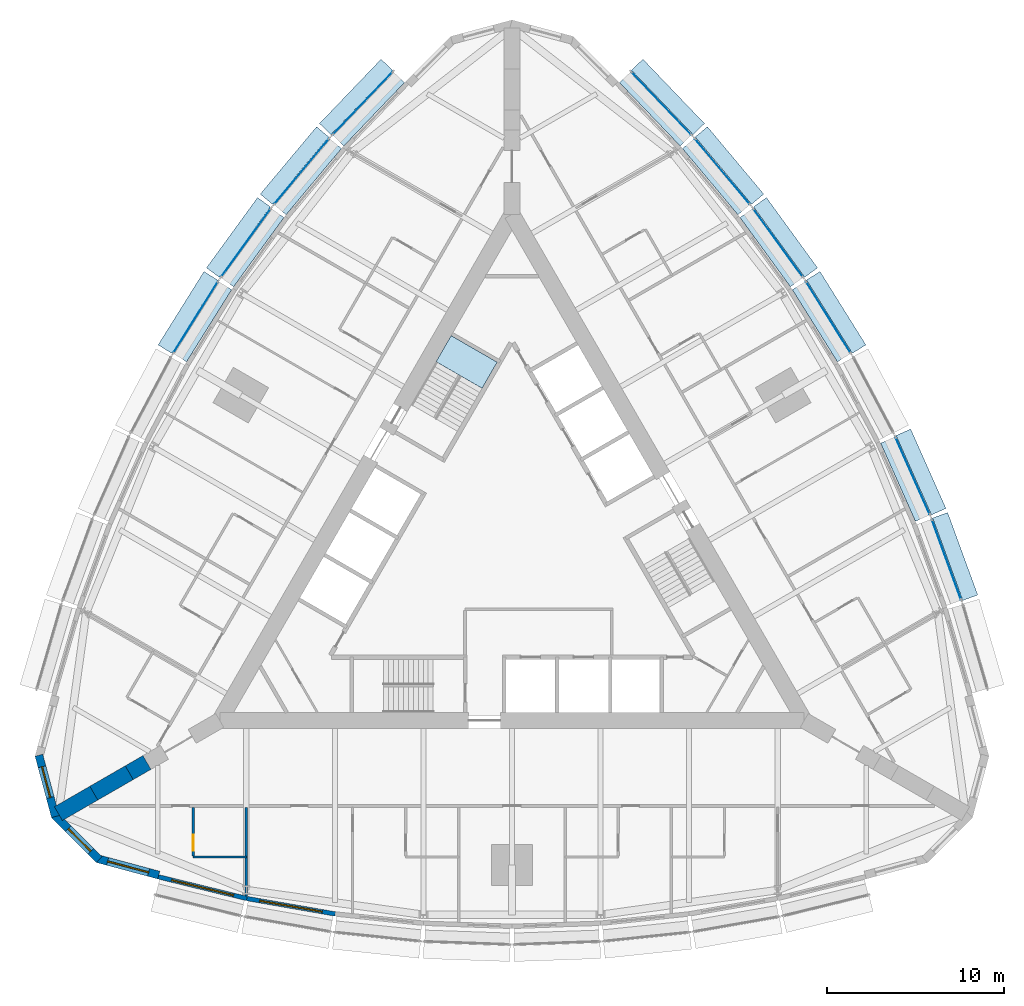
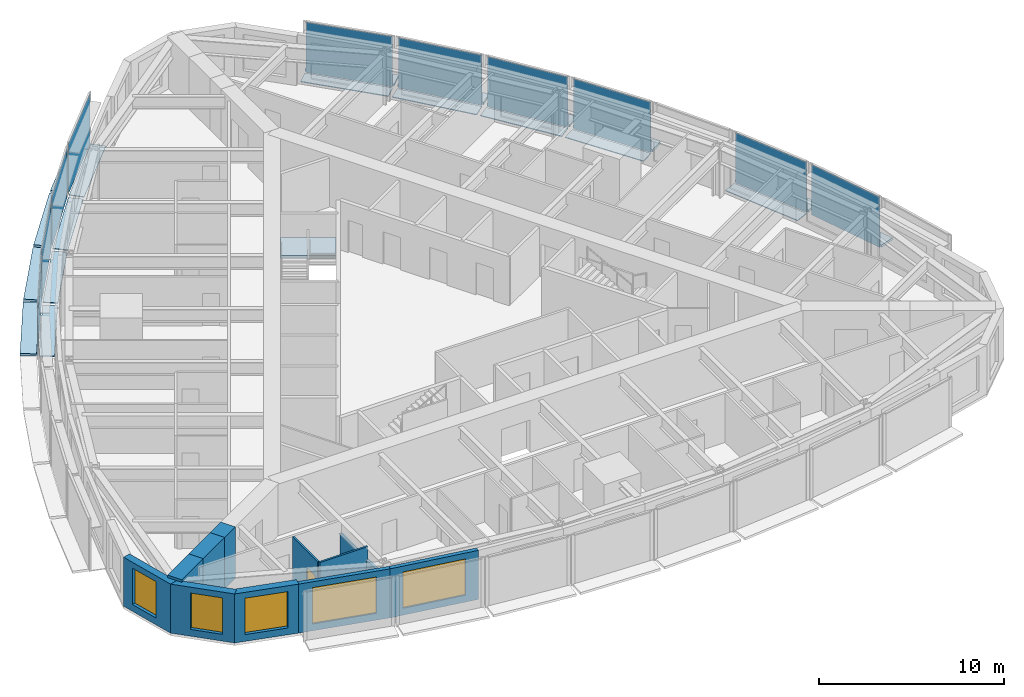
# One storey, part 7 of 14: 29 plates, 11 walls, 5 windows, 1 door, 1 slab, 6 openings, 11 elements without a shape of their own.
"""IFC4 building model written with IfcOpenShell, lengths in metres."""

from ifc_helpers import new_model, si_unit, direction, frame, frame_2d, origin, origin_2d, place, context, subcontext, project, spatial, polyline, rectangle, outline, extrude, material, layer, layer_set, type_object, element, fill, aggregate, save


model = new_model("IFC4")

# Units and contexts
model_context = context("Model", 3, precision=1e-05, world=origin(), true_north=direction((0.0, 1.0)))
body_context = subcontext(model_context, "Body", "Model", "MODEL_VIEW")
ifc_project = project(units=[si_unit("LENGTHUNIT", "METRE"), si_unit("AREAUNIT", "SQUARE_METRE"), si_unit("VOLUMEUNIT", "CUBIC_METRE"), si_unit("PLANEANGLEUNIT", "RADIAN"), si_unit("MASSUNIT", "GRAM", prefix="KILO")], contexts=[model_context])

# Site, building, storey
site_placement = place(None, origin())
site = spatial("IfcSite", under=ifc_project, at=site_placement, CompositionType="ELEMENT")
building_placement = place(site_placement, origin())
building = spatial("IfcBuilding", under=site, at=building_placement, Name="Trikona Tower", CompositionType="ELEMENT")
storey_placement = place(building_placement, frame((0.0, 0.0, 165.699951171875)))
storey = spatial("IfcBuildingStorey", under=building, at=storey_placement, Name="L44", CompositionType="ELEMENT", Elevation=165.699951171875)

# Plates
ifc_material_1 = material(Name="Aluminium bar grating", Category="aluminium")
ifc_layer_1 = layer(ifc_material_1, 0.050048828125)
ifc_layer_set_1 = layer_set([ifc_layer_1], Name="Cavity catwalk grating")
plate_type_1 = type_object("IfcPlateType", Name="Cavity catwalk grating", PredefinedType="USERDEFINED", material=ifc_layer_set_1)
plate_1_placement = place(storey_placement, frame((22.175048828125, 4.092529296875, -0.0498046875), z_axis=(0.0, 0.0, 1.0), x_axis=(-0.406843467615, 0.913497888809, 0.0)))
element("IfcPlate", 1, at=plate_1_placement, inside=storey, type_object=plate_type_1, Name="Cavity catwalk L44-14", ObjectType="CATWALK GRATING", PredefinedType="USERDEFINED", context=body_context, shape_type="SweptSolid", body=[
    extrude(rectangle(XDim=4.827392578125, YDim=0.830078125, at=origin_2d()), origin(), (0.0, 0.0, 1.0), 0.050048828125),
])
plate_2_placement = place(storey_placement, frame((17.450927734375, 12.978759765625, -0.0498046875), z_axis=(0.0, 0.0, 1.0), x_axis=(-0.529994748414, 0.848000923734, 0.0)))
element("IfcPlate", 2, at=plate_2_placement, inside=storey, type_object=plate_type_1, Name="Cavity catwalk L44-16", ObjectType="CATWALK GRATING", PredefinedType="USERDEFINED", context=body_context, shape_type="SweptSolid", body=[
    extrude(rectangle(XDim=4.802978515625, YDim=0.830078125, at=origin_2d()), origin(), (0.0, 0.0, 1.0), 0.050048828125),
])
plate_3_placement = place(storey_placement, frame((14.6318359375, 17.157958984375, -0.0498046875), z_axis=(0.0, 0.0, 1.0), x_axis=(-0.587686407834, 0.809088799853, 0.0)))
element("IfcPlate", 3, at=plate_3_placement, inside=storey, type_object=plate_type_1, Name="Cavity catwalk L44-17", ObjectType="CATWALK GRATING", PredefinedType="USERDEFINED", context=body_context, shape_type="SweptSolid", body=[
    extrude(rectangle(XDim=4.827392578125, YDim=0.830078125, at=origin_2d()), origin(), (0.0, 0.0, 1.0), 0.050048828125),
])
plate_4_placement = place(storey_placement, frame((11.508056640625, 21.160400390625, -0.0498046875), z_axis=(0.0, 0.0, 1.0), x_axis=(-0.641807063101, 0.766866151133, 0.0)))
element("IfcPlate", 4, at=plate_4_placement, inside=storey, type_object=plate_type_1, Name="Cavity catwalk L44-18", ObjectType="CATWALK GRATING", PredefinedType="USERDEFINED", context=body_context, shape_type="SweptSolid", body=[
    extrude(rectangle(XDim=4.8759765625, YDim=0.830078125, at=origin_2d()), origin(), (0.0, 0.0, 1.0), 0.050048828125),
])
for number, where, z_axis, x_axis, name in (
    (5, (8.080078125, 24.986328125, -0.0498046875), (0.0, 0.0, 1.0), (-0.691723573819, 0.722162376078, 0.0), "Cavity catwalk L44-19"),
    (6, (-8.080078125, 24.986328125, -0.0498046875), (0.0, 0.0, 1.0), (-0.691723573819, -0.722162376078, 0.0), "Cavity catwalk L44-24"),
):
    element("IfcPlate", number, at=place(storey_placement, frame(where, z_axis=z_axis, x_axis=x_axis)), inside=storey, type_object=plate_type_1, Name=name, ObjectType="CATWALK GRATING", PredefinedType="USERDEFINED", context=body_context, shape_type="SweptSolid", body=[
        extrude(rectangle(XDim=4.947998046875, YDim=0.830078125, at=origin_2d()), origin(), (0.0, 0.0, 1.0), 0.050048828125),
    ])
plate_5_placement = place(storey_placement, frame((-11.508056640625, 21.160400390625, -0.0498046875), z_axis=(0.0, 0.0, 1.0), x_axis=(-0.641807063101, -0.766866151133, 0.0)))
element("IfcPlate", 7, at=plate_5_placement, inside=storey, type_object=plate_type_1, Name="Cavity catwalk L44-25", ObjectType="CATWALK GRATING", PredefinedType="USERDEFINED", context=body_context, shape_type="SweptSolid", body=[
    extrude(rectangle(XDim=4.8759765625, YDim=0.830078125, at=origin_2d()), origin(), (0.0, 0.0, 1.0), 0.050048828125),
])
plate_6_placement = place(storey_placement, frame((-14.6318359375, 17.157958984375, -0.0498046875), z_axis=(0.0, 0.0, 1.0), x_axis=(-0.587686407834, -0.809088799853, 0.0)))
element("IfcPlate", 8, at=plate_6_placement, inside=storey, type_object=plate_type_1, Name="Cavity catwalk L44-26", ObjectType="CATWALK GRATING", PredefinedType="USERDEFINED", context=body_context, shape_type="SweptSolid", body=[
    extrude(rectangle(XDim=4.827392578125, YDim=0.830078125, at=origin_2d()), origin(), (0.0, 0.0, 1.0), 0.050048828125),
])
plate_7_placement = place(storey_placement, frame((-17.450927734375, 12.978759765625, -0.0498046875), z_axis=(0.0, 0.0, 1.0), x_axis=(-0.529994748414, -0.848000923734, 0.0)))
element("IfcPlate", 9, at=plate_7_placement, inside=storey, type_object=plate_type_1, Name="Cavity catwalk L44-27", ObjectType="CATWALK GRATING", PredefinedType="USERDEFINED", context=body_context, shape_type="SweptSolid", body=[
    extrude(rectangle(XDim=4.802978515625, YDim=0.830078125, at=origin_2d()), origin(), (0.0, 0.0, 1.0), 0.050048828125),
])

# Curtain wall, plate
ifc_material_2 = material(Name="Aluminium curtain wall system", Category="aluminium")
curtain_wall_type = type_object("IfcCurtainWallType", Name="Curtain wall DS2", PredefinedType="NOTDEFINED", material=ifc_material_2)
curtain_wall_1_placement = place(storey_placement, origin())
curtain_wall_1 = element("IfcCurtainWall", 10, at=curtain_wall_1_placement, inside=storey, type_object=curtain_wall_type, Name="Curtain wall DS2 L44", PredefinedType="NOTDEFINED")
ifc_material_3 = material(Name="Laminated clear glass", Category="glass")
ifc_layer_2 = layer(ifc_material_3, 0.028076171875)
ifc_layer_set_2 = layer_set([ifc_layer_2], Name="Glass panel DS2")
plate_type_2 = type_object("IfcPlateType", Name="Glass panel DS2", PredefinedType="CURTAIN_PANEL", material=ifc_layer_set_2)
plate_8_placement = place(storey_placement, frame((24.53515625, -0.447509765625, 0.0), z_axis=(0.0, 0.0, 1.0), x_axis=(-0.343223420143, 0.939253790978, 0.0)))
plate_8 = element("IfcPlate", 11, at=plate_8_placement, type_object=plate_type_2, Name="CW-DS2 panel 1.1", PredefinedType="CURTAIN_PANEL", context=body_context, shape_type="SweptSolid", body=[
    extrude(rectangle(XDim=4.7958984375, YDim=0.028076171875, at=origin_2d()), origin(), (0.0, 0.0, 1.0), 3.320068359375),
])
aggregate(curtain_wall_1, [plate_8])

curtain_wall_2_placement = place(storey_placement, origin())
curtain_wall_2 = element("IfcCurtainWall", 12, at=curtain_wall_2_placement, inside=storey, type_object=curtain_wall_type, Name="Curtain wall DS2 L44", PredefinedType="NOTDEFINED")
plate_9_placement = place(storey_placement, frame((22.6181640625, 4.289794921875, 0.0), z_axis=(0.0, 0.0, 1.0), x_axis=(-0.406836013132, 0.913501208767, 0.0)))
plate_9 = element("IfcPlate", 13, at=plate_9_placement, type_object=plate_type_2, Name="CW-DS2 panel 1.1", PredefinedType="CURTAIN_PANEL", context=body_context, shape_type="SweptSolid", body=[
    extrude(rectangle(XDim=4.747314453125, YDim=0.028076171875, at=origin_2d()), origin(), (0.0, 0.0, 1.0), 3.320068359375),
])
aggregate(curtain_wall_2, [plate_9])

curtain_wall_3_placement = place(storey_placement, origin())
curtain_wall_3 = element("IfcCurtainWall", 14, at=curtain_wall_3_placement, inside=storey, type_object=curtain_wall_type, Name="Curtain wall DS2 L44", PredefinedType="NOTDEFINED")
plate_10_placement = place(storey_placement, frame((17.8623046875, 13.23583984375, 0.0), z_axis=(0.0, 0.0, 1.0), x_axis=(-0.529998940002, 0.847998304006, 0.0)))
plate_10 = element("IfcPlate", 15, at=plate_10_placement, type_object=plate_type_2, Name="CW-DS2 panel 1.1", PredefinedType="CURTAIN_PANEL", context=body_context, shape_type="SweptSolid", body=[
    extrude(rectangle(XDim=4.72314453125, YDim=0.028076171875, at=origin_2d()), origin(), (0.0, 0.0, 1.0), 3.320068359375),
])
aggregate(curtain_wall_3, [plate_10])

curtain_wall_4_placement = place(storey_placement, origin())
curtain_wall_4 = element("IfcCurtainWall", 16, at=curtain_wall_4_placement, inside=storey, type_object=curtain_wall_type, Name="Curtain wall DS2 L44", PredefinedType="NOTDEFINED")
plate_11_placement = place(storey_placement, frame((15.024169921875, 17.443115234375, 0.0), z_axis=(0.0, 0.0, 1.0), x_axis=(-0.587690588313, 0.80908576332, 0.0)))
plate_11 = element("IfcPlate", 17, at=plate_11_placement, type_object=plate_type_2, Name="CW-DS2 panel 1.1", PredefinedType="CURTAIN_PANEL", context=body_context, shape_type="SweptSolid", body=[
    extrude(rectangle(XDim=4.74755859375, YDim=0.028076171875, at=origin_2d()), origin(), (0.0, 0.0, 1.0), 3.320068359375),
])
aggregate(curtain_wall_4, [plate_11])

curtain_wall_5_placement = place(storey_placement, origin())
curtain_wall_5 = element("IfcCurtainWall", 18, at=curtain_wall_5_placement, inside=storey, type_object=curtain_wall_type, Name="Curtain wall DS2 L44", PredefinedType="NOTDEFINED")
plate_12_placement = place(storey_placement, frame((11.8798828125, 21.4716796875, 0.0), z_axis=(0.0, 0.0, 1.0), x_axis=(-0.641806433248, 0.766866678271, 0.0)))
plate_12 = element("IfcPlate", 19, at=plate_12_placement, type_object=plate_type_2, Name="CW-DS2 panel 1.1", PredefinedType="CURTAIN_PANEL", context=body_context, shape_type="SweptSolid", body=[
    extrude(rectangle(XDim=4.7958984375, YDim=0.028076171875, at=origin_2d()), origin(), (0.0, 0.0, 1.0), 3.320068359375),
])
aggregate(curtain_wall_5, [plate_12])

curtain_wall_6_placement = place(storey_placement, origin())
curtain_wall_6 = element("IfcCurtainWall", 20, at=curtain_wall_6_placement, inside=storey, type_object=curtain_wall_type, Name="Curtain wall DS2 L44", PredefinedType="NOTDEFINED")
plate_13_placement = place(storey_placement, frame((8.430419921875, 25.32177734375, 0.0), z_axis=(0.0, 0.0, 1.0), x_axis=(-0.691727797117, 0.722158330767, 0.0)))
plate_13 = element("IfcPlate", 21, at=plate_13_placement, type_object=plate_type_2, Name="CW-DS2 panel 1.1", PredefinedType="CURTAIN_PANEL", context=body_context, shape_type="SweptSolid", body=[
    extrude(rectangle(XDim=4.867919921875, YDim=0.028076171875, at=origin_2d()), origin(), (0.0, 0.0, 1.0), 3.320068359375),
])
aggregate(curtain_wall_6, [plate_13])

curtain_wall_7_placement = place(storey_placement, origin())
curtain_wall_7 = element("IfcCurtainWall", 22, at=curtain_wall_7_placement, inside=storey, type_object=curtain_wall_type, Name="Curtain wall DS2 L44", PredefinedType="NOTDEFINED")
plate_14_placement = place(storey_placement, frame((-8.430419921875, 25.32177734375, 0.0), z_axis=(0.0, 0.0, 1.0), x_axis=(-0.691727797117, -0.722158330767, 0.0)))
plate_14 = element("IfcPlate", 23, at=plate_14_placement, type_object=plate_type_2, Name="CW-DS2 panel 1.1", PredefinedType="CURTAIN_PANEL", context=body_context, shape_type="SweptSolid", body=[
    extrude(rectangle(XDim=4.867919921875, YDim=0.028076171875, at=origin_2d()), origin(), (0.0, 0.0, 1.0), 3.320068359375),
])
aggregate(curtain_wall_7, [plate_14])

curtain_wall_8_placement = place(storey_placement, origin())
curtain_wall_8 = element("IfcCurtainWall", 24, at=curtain_wall_8_placement, inside=storey, type_object=curtain_wall_type, Name="Curtain wall DS2 L44", PredefinedType="NOTDEFINED")
plate_15_placement = place(storey_placement, frame((-11.8798828125, 21.4716796875, 0.0), z_axis=(0.0, 0.0, 1.0), x_axis=(-0.641806433248, -0.766866678271, 0.0)))
plate_15 = element("IfcPlate", 25, at=plate_15_placement, type_object=plate_type_2, Name="CW-DS2 panel 1.1", PredefinedType="CURTAIN_PANEL", context=body_context, shape_type="SweptSolid", body=[
    extrude(rectangle(XDim=4.7958984375, YDim=0.028076171875, at=origin_2d()), origin(), (0.0, 0.0, 1.0), 3.320068359375),
])
aggregate(curtain_wall_8, [plate_15])

curtain_wall_9_placement = place(storey_placement, origin())
curtain_wall_9 = element("IfcCurtainWall", 26, at=curtain_wall_9_placement, inside=storey, type_object=curtain_wall_type, Name="Curtain wall DS2 L44", PredefinedType="NOTDEFINED")
plate_16_placement = place(storey_placement, frame((-15.024169921875, 17.443115234375, 0.0), z_axis=(0.0, 0.0, 1.0), x_axis=(-0.587690588313, -0.80908576332, 0.0)))
plate_16 = element("IfcPlate", 27, at=plate_16_placement, type_object=plate_type_2, Name="CW-DS2 panel 1.1", PredefinedType="CURTAIN_PANEL", context=body_context, shape_type="SweptSolid", body=[
    extrude(rectangle(XDim=4.74755859375, YDim=0.028076171875, at=origin_2d()), origin(), (0.0, 0.0, 1.0), 3.320068359375),
])
aggregate(curtain_wall_9, [plate_16])

curtain_wall_10_placement = place(storey_placement, origin())
curtain_wall_10 = element("IfcCurtainWall", 28, at=curtain_wall_10_placement, inside=storey, type_object=curtain_wall_type, Name="Curtain wall DS2 L44", PredefinedType="NOTDEFINED")
plate_17_placement = place(storey_placement, frame((-17.8623046875, 13.23583984375, 0.0), z_axis=(0.0, 0.0, 1.0), x_axis=(-0.529998940002, -0.847998304006, 0.0)))
plate_17 = element("IfcPlate", 29, at=plate_17_placement, type_object=plate_type_2, Name="CW-DS2 panel 1.1", PredefinedType="CURTAIN_PANEL", context=body_context, shape_type="SweptSolid", body=[
    extrude(rectangle(XDim=4.72314453125, YDim=0.028076171875, at=origin_2d()), origin(), (0.0, 0.0, 1.0), 3.320068359375),
])
aggregate(curtain_wall_10, [plate_17])

# Plates
ifc_material_4 = material(Name="Aluminium plate fin, pale anodised, on stainless steel outriggers", Category="steel")
ifc_layer_3 = layer(ifc_material_4, 0.14990234375)
ifc_layer_set_3 = layer_set([ifc_layer_3], Name="Outer skin fin 900")
plate_type_3 = type_object("IfcPlateType", Name="Outer skin fin 900", PredefinedType="USERDEFINED", material=ifc_layer_set_3)
plate_18_placement = place(storey_placement, frame((25.0234375, -0.26904296875, 0.0), z_axis=(0.0, 0.0, 1.0), x_axis=(-0.343220397324, 0.939254895575, 0.0)))
element("IfcPlate", 30, at=plate_18_placement, inside=storey, type_object=plate_type_3, Name="Outer skin fin L44-13", ObjectType="FIN", PredefinedType="USERDEFINED", context=body_context, shape_type="SweptSolid", body=[
    extrude(rectangle(XDim=4.9560546875, YDim=0.89990234375, at=origin_2d()), origin(), (0.0, 0.0, 1.0), 0.14990234375),
])
plate_19_placement = place(storey_placement, frame((23.09326171875, 4.50146484375, 0.0), z_axis=(0.0, 0.0, 1.0), x_axis=(-0.406843467615, 0.913497888809, 0.0)))
element("IfcPlate", 31, at=plate_19_placement, inside=storey, type_object=plate_type_3, Name="Outer skin fin L44-14", ObjectType="FIN", PredefinedType="USERDEFINED", context=body_context, shape_type="SweptSolid", body=[
    extrude(rectangle(XDim=4.907470703125, YDim=0.89990234375, at=origin_2d()), origin(), (0.0, 0.0, 1.0), 0.14990234375),
])
plate_20_placement = place(storey_placement, frame((18.30322265625, 13.511474609375, 0.0), z_axis=(0.0, 0.0, 1.0), x_axis=(-0.529994748414, 0.848000923734, 0.0)))
element("IfcPlate", 32, at=plate_20_placement, inside=storey, type_object=plate_type_3, Name="Outer skin fin L44-16", ObjectType="FIN", PredefinedType="USERDEFINED", context=body_context, shape_type="SweptSolid", body=[
    extrude(rectangle(XDim=4.883056640625, YDim=0.89990234375, at=origin_2d()), origin(), (0.0, 0.0, 1.0), 0.14990234375),
])
plate_21_placement = place(storey_placement, frame((15.44482421875, 17.74853515625, 0.0), z_axis=(0.0, 0.0, 1.0), x_axis=(-0.587686407834, 0.809088799853, 0.0)))
element("IfcPlate", 33, at=plate_21_placement, inside=storey, type_object=plate_type_3, Name="Outer skin fin L44-17", ObjectType="FIN", PredefinedType="USERDEFINED", context=body_context, shape_type="SweptSolid", body=[
    extrude(rectangle(XDim=4.907470703125, YDim=0.89990234375, at=origin_2d()), origin(), (0.0, 0.0, 1.0), 0.14990234375),
])
plate_22_placement = place(storey_placement, frame((12.27880859375, 21.8056640625, 0.0), z_axis=(0.0, 0.0, 1.0), x_axis=(-0.641807063101, 0.766866151133, 0.0)))
element("IfcPlate", 34, at=plate_22_placement, inside=storey, type_object=plate_type_3, Name="Outer skin fin L44-18", ObjectType="FIN", PredefinedType="USERDEFINED", context=body_context, shape_type="SweptSolid", body=[
    extrude(rectangle(XDim=4.9560546875, YDim=0.89990234375, at=origin_2d()), origin(), (0.0, 0.0, 1.0), 0.14990234375),
])
for number, where, z_axis, x_axis, name in (
    (35, (8.805908203125, 25.681396484375, 0.0), (0.0, 0.0, 1.0), (-0.691723573819, 0.722162376078, 0.0), "Outer skin fin L44-19"),
    (36, (-8.805908203125, 25.681396484375, 0.0), (0.0, 0.0, 1.0), (-0.691723573819, -0.722162376078, 0.0), "Outer skin fin L44-24"),
):
    element("IfcPlate", number, at=place(storey_placement, frame(where, z_axis=z_axis, x_axis=x_axis)), inside=storey, type_object=plate_type_3, Name=name, ObjectType="FIN", PredefinedType="USERDEFINED", context=body_context, shape_type="SweptSolid", body=[
        extrude(rectangle(XDim=5.02783203125, YDim=0.89990234375, at=origin_2d()), origin(), (0.0, 0.0, 1.0), 0.14990234375),
    ])
plate_23_placement = place(storey_placement, frame((-12.27880859375, 21.8056640625, 0.0), z_axis=(0.0, 0.0, 1.0), x_axis=(-0.641807063101, -0.766866151133, 0.0)))
element("IfcPlate", 37, at=plate_23_placement, inside=storey, type_object=plate_type_3, Name="Outer skin fin L44-25", ObjectType="FIN", PredefinedType="USERDEFINED", context=body_context, shape_type="SweptSolid", body=[
    extrude(rectangle(XDim=4.9560546875, YDim=0.89990234375, at=origin_2d()), origin(), (0.0, 0.0, 1.0), 0.14990234375),
])
plate_24_placement = place(storey_placement, frame((-15.44482421875, 17.74853515625, 0.0), z_axis=(0.0, 0.0, 1.0), x_axis=(-0.587686407834, -0.809088799853, 0.0)))
element("IfcPlate", 38, at=plate_24_placement, inside=storey, type_object=plate_type_3, Name="Outer skin fin L44-26", ObjectType="FIN", PredefinedType="USERDEFINED", context=body_context, shape_type="SweptSolid", body=[
    extrude(rectangle(XDim=4.907470703125, YDim=0.89990234375, at=origin_2d()), origin(), (0.0, 0.0, 1.0), 0.14990234375),
])
plate_25_placement = place(storey_placement, frame((-18.30322265625, 13.511474609375, 0.0), z_axis=(0.0, 0.0, 1.0), x_axis=(-0.529994748414, -0.848000923734, 0.0)))
element("IfcPlate", 39, at=plate_25_placement, inside=storey, type_object=plate_type_3, Name="Outer skin fin L44-27", ObjectType="FIN", PredefinedType="USERDEFINED", context=body_context, shape_type="SweptSolid", body=[
    extrude(rectangle(XDim=4.883056640625, YDim=0.89990234375, at=origin_2d()), origin(), (0.0, 0.0, 1.0), 0.14990234375),
])

# Stair, slab
ifc_material_5 = material(Name="Concrete f'c 5000 psi", Category="concrete")
stair_type = type_object("IfcStairType", Name="Core stair", PredefinedType="HALF_TURN_STAIR", material=ifc_material_5)
stair_placement = place(storey_placement, origin())
stair = element("IfcStair", 40, at=stair_placement, inside=storey, type_object=stair_type, Name="Stair C L44", PredefinedType="HALF_TURN_STAIR")
ifc_material_6 = material(Name="Concrete f'c 5000 psi", Category="concrete")
ifc_layer_4 = layer(ifc_material_6, 0.199951171875)
ifc_layer_set_4 = layer_set([ifc_layer_4], Name="Stair landing 200")
slab_type = type_object("IfcSlabType", Name="Stair landing 200", PredefinedType="LANDING", material=ifc_layer_set_4)
slab_placement = place(storey_placement, frame((0.0, 0.0, 1.5)))
slab = element("IfcSlab", 41, at=slab_placement, type_object=slab_type, Name="ST-C landing 2", PredefinedType="LANDING", context=body_context, shape_type="SweptSolid", body=[
    extrude(outline(polyline([(-0.837158203125, 10.702392578125), (-1.688720703125, 9.2275390625), (-4.286865234375, 10.7275390625), (-3.435302734375, 12.202392578125), (-0.837158203125, 10.702392578125)])), origin(), (0.0, 0.0, 1.0), 0.199951171875),
])
aggregate(stair, [slab])

# Wall
ifc_material_7 = material(Name="Metal stud and cement board", Category="gypsum")
ifc_layer_5 = layer(ifc_material_7, 0.1201171875)
ifc_layer_set_5 = layer_set([ifc_layer_5], Name="Bathroom wall 120")
wall_type_1 = type_object("IfcWallType", Name="Bathroom wall 120", PredefinedType="PLUMBINGWALL", material=ifc_layer_set_5)
wall_1_placement = place(storey_placement, frame((-18.0, -17.226318359375, 0.0), z_axis=(0.0, 0.0, 1.0), x_axis=(1.0, 0.0, 0.0)))
element("IfcWall", 42, at=wall_1_placement, inside=storey, type_object=wall_type_1, Name="Bathroom wall 4401", PredefinedType="PLUMBINGWALL", context=body_context, shape_type="SweptSolid", body=[
    extrude(rectangle(XDim=3.0, YDim=0.1201171875, at=frame_2d((1.5, 0.0))), origin(), (0.0, 0.0, 1.0), 3.235107421875),
])

# Wall, opening, door
wall_2_placement = place(storey_placement, frame((-18.0, -14.42626953125, 0.0), z_axis=(0.0, 0.0, 1.0), x_axis=(0.0, -1.0, 0.0)))
wall_2 = element("IfcWall", 43, at=wall_2_placement, inside=storey, type_object=wall_type_1, Name="Bathroom wall 4401", PredefinedType="PLUMBINGWALL", context=body_context, shape_type="SweptSolid", body=[
    extrude(rectangle(XDim=2.739990234375, YDim=0.1201171875, at=frame_2d((1.3701171875, 0.0))), origin(), (0.0, 0.0, 1.0), 3.235107421875),
])
opening_1_placement = place(wall_2_placement, frame((1.550048828125, 0.0, 0.0)))
opening_1 = element("IfcOpeningElement", 44, at=opening_1_placement, cuts=wall_2, Name="Opening D2", PredefinedType="OPENING", context=body_context, shape_type="SweptSolid", body=[
    extrude(rectangle(XDim=0.89990234375, YDim=2.1298828125, at=frame_2d((0.449951171875, 1.06494140625))), frame((0.0, 0.070068359375, 0.0), z_axis=(0.0, -1.0, 0.0), x_axis=(1.0, 0.0, 0.0)), (0.0, 0.0, 1.0), 0.14013671875),
])
ifc_material_8 = material(Name="Steel door frame with solid-core timber leaf", Category="steel")
door_type = type_object("IfcDoorType", Name="Bathroom door 900x2130", OperationType="SLIDING_TO_LEFT", PredefinedType="DOOR", material=ifc_material_8)
door_placement = place(opening_1_placement, origin())
door = element("IfcDoor", 45, at=door_placement, inside=storey, type_object=door_type, Name="Bathroom door 4401", OperationType="SLIDING_TO_LEFT", OverallHeight=2.1298828125, OverallWidth=0.89990234375, PredefinedType="DOOR", context=body_context, shape_type="SweptSolid", body=[
    extrude(rectangle(XDim=0.89990234375, YDim=2.1298828125, at=frame_2d((0.449951171875, 1.06494140625))), frame((0.0, 0.02490234375, 0.0), z_axis=(0.0, -1.0, 0.0), x_axis=(1.0, 0.0, 0.0)), (0.0, 0.0, 1.0), 0.050048828125),
])
fill(opening_1, door)

# Wall, opening, window
ifc_material_9 = material(Name="Brick-faced precast concrete", Category="masonry")
ifc_layer_6 = layer(ifc_material_9, 0.449951171875)
ifc_layer_set_6 = layer_set([ifc_layer_6], Name="Brick-faced corner wall 450")
wall_type_2 = type_object("IfcWallType", Name="Brick-faced corner wall 450", PredefinedType="SOLIDWALL", material=ifc_layer_set_6)
wall_3_placement = place(storey_placement, frame((-26.7109375, -11.48876953125, 0.0), z_axis=(0.0, 0.0, 1.0), x_axis=(0.258823421857, -0.965924653531, 0.0)))
wall_3 = element("IfcWall", 46, at=wall_3_placement, inside=storey, type_object=wall_type_2, Name="External wall L44-33", PredefinedType="SOLIDWALL", context=body_context, shape_type="SweptSolid", body=[
    extrude(outline(polyline([(3.58642578125, 0.22509765625), (3.52685546875, 0.22509765625), (3.03515625, 0.09326171875), (3.0, 0.22509765625), (0.0, 0.22509765625), (0.0, -0.22509765625), (3.58642578125, -0.22509765625), (3.58642578125, 0.22509765625)])), origin(), (0.0, 0.0, 1.0), 3.235107421875),
])
opening_2_placement = place(wall_3_placement, frame((0.6748046875, 0.0, 0.449951171875)))
opening_2 = element("IfcOpeningElement", 47, at=opening_2_placement, cuts=wall_3, Name="Opening W1824", PredefinedType="OPENING", context=body_context, shape_type="SweptSolid", body=[
    extrude(rectangle(XDim=1.800048828125, YDim=2.39990234375, at=frame_2d((0.89990234375, 1.199951171875))), frame((0.0, 0.23486328125, 0.0), z_axis=(0.0, -1.0, 0.0), x_axis=(1.0, 0.0, 0.0)), (0.0, 0.0, 1.0), 0.469970703125),
])
ifc_material_10 = material(Name="Aluminium-framed double glazing", Category="aluminium")
window_type_1 = type_object("IfcWindowType", Name="Window 1800x2400", PartitioningType="SINGLE_PANEL", PredefinedType="WINDOW", material=ifc_material_10)
window_1_placement = place(opening_2_placement, origin())
window_1 = element("IfcWindow", 48, at=window_1_placement, inside=storey, type_object=window_type_1, Name="Window 4413", OverallHeight=2.39990234375, OverallWidth=1.800048828125, PartitioningType="SINGLE_PANEL", PredefinedType="WINDOW", context=body_context, shape_type="SweptSolid", body=[
    extrude(rectangle(XDim=1.800048828125, YDim=2.39990234375, at=frame_2d((0.89990234375, 1.199951171875))), frame((0.0, 0.030029296875, 0.0), z_axis=(0.0, -1.0, 0.0), x_axis=(1.0, 0.0, 0.0)), (0.0, 0.0, 1.0), 0.06005859375),
])
fill(opening_2, window_1)

wall_4_placement = place(storey_placement, frame((-25.8408203125, -14.85205078125, 0.0), z_axis=(0.0, 0.0, 1.0), x_axis=(0.707106781187, -0.707106781187, 0.0)))
wall_4 = element("IfcWall", 49, at=wall_4_placement, inside=storey, type_object=wall_type_2, Name="External wall L44-34", PredefinedType="SOLIDWALL", context=body_context, shape_type="SweptSolid", body=[
    extrude(outline(polyline([(3.586181640625, 0.22509765625), (0.58642578125, 0.22509765625), (0.551025390625, 0.09326171875), (0.05908203125, 0.22509765625), (0.0, 0.22509765625), (0.0, -0.22509765625), (3.586181640625, -0.22509765625), (3.586181640625, 0.22509765625)])), origin(), (0.0, 0.0, 1.0), 3.235107421875),
])
opening_3_placement = place(wall_4_placement, frame((1.111328125, 0.0, 0.449951171875)))
opening_3 = element("IfcOpeningElement", 50, at=opening_3_placement, cuts=wall_4, Name="Opening W1824", PredefinedType="OPENING", context=body_context, shape_type="SweptSolid", body=[
    extrude(rectangle(XDim=1.800048828125, YDim=2.39990234375, at=frame_2d((0.89990234375, 1.199951171875))), frame((0.0, 0.23486328125, 0.0), z_axis=(0.0, -1.0, 0.0), x_axis=(1.0, 0.0, 0.0)), (0.0, 0.0, 1.0), 0.469970703125),
])
window_2_placement = place(opening_3_placement, origin())
window_2 = element("IfcWindow", 51, at=window_2_placement, inside=storey, type_object=window_type_1, Name="Window 4401", OverallHeight=2.39990234375, OverallWidth=1.800048828125, PartitioningType="SINGLE_PANEL", PredefinedType="WINDOW", context=body_context, shape_type="SweptSolid", body=[
    extrude(rectangle(XDim=1.800048828125, YDim=2.39990234375, at=frame_2d((0.89990234375, 1.199951171875))), frame((0.0, 0.030029296875, 0.0), z_axis=(0.0, -1.0, 0.0), x_axis=(1.0, 0.0, 0.0)), (0.0, 0.0, 1.0), 0.06005859375),
])
fill(opening_3, window_2)

wall_5_placement = place(storey_placement, frame((-23.406005859375, -17.32958984375, 0.0), z_axis=(0.0, 0.0, 1.0), x_axis=(0.965924653531, -0.258823421857, 0.0)))
wall_5 = element("IfcWall", 52, at=wall_5_placement, inside=storey, type_object=wall_type_2, Name="External wall L44-35", PredefinedType="SOLIDWALL", context=body_context, shape_type="SweptSolid", body=[
    extrude(rectangle(XDim=3.58642578125, YDim=0.449951171875, at=frame_2d((1.793212890625, 0.0))), origin(), (0.0, 0.0, 1.0), 3.235107421875),
])
opening_4_placement = place(wall_5_placement, frame((0.593017578125, 0.0, 0.449951171875)))
opening_4 = element("IfcOpeningElement", 53, at=opening_4_placement, cuts=wall_5, Name="Opening W2424", PredefinedType="OPENING", context=body_context, shape_type="SweptSolid", body=[
    extrude(rectangle(XDim=2.39990234375, YDim=2.39990234375, at=frame_2d((1.199951171875, 1.199951171875))), frame((0.0, 0.23486328125, 0.0), z_axis=(0.0, -1.0, 0.0), x_axis=(1.0, 0.0, 0.0)), (0.0, 0.0, 1.0), 0.469970703125),
])
ifc_material_11 = material(Name="Aluminium-framed double glazing", Category="aluminium")
window_type_2 = type_object("IfcWindowType", Name="Window 2400x2400", PartitioningType="SINGLE_PANEL", PredefinedType="WINDOW", material=ifc_material_11)
window_3_placement = place(opening_4_placement, origin())
window_3 = element("IfcWindow", 54, at=window_3_placement, inside=storey, type_object=window_type_2, Name="Window 4401", OverallHeight=2.39990234375, OverallWidth=2.39990234375, PartitioningType="SINGLE_PANEL", PredefinedType="WINDOW", context=body_context, shape_type="SweptSolid", body=[
    extrude(rectangle(XDim=2.39990234375, YDim=2.39990234375, at=frame_2d((1.199951171875, 1.199951171875))), frame((0.0, 0.030029296875, 0.0), z_axis=(0.0, -1.0, 0.0), x_axis=(1.0, 0.0, 0.0)), (0.0, 0.0, 1.0), 0.06005859375),
])
fill(opening_4, window_3)

# Walls
ifc_material_12 = material(Name="Concrete f'c 10000 psi", Category="concrete")
ifc_layer_7 = layer(ifc_material_12, 0.89990234375)
ifc_layer_set_7 = layer_set([ifc_layer_7], Name="Buttress wall 900")
wall_type_3 = type_object("IfcWallType", Name="Buttress wall 900", PredefinedType="SHEAR", material=ifc_layer_set_7)
wall_6_placement = place(storey_placement, frame((-20.6103515625, -11.8994140625, 0.0), z_axis=(0.0, 0.0, 1.0), x_axis=(-0.866009537788, -0.500027479704, 0.0)))
element("IfcWall", 55, at=wall_6_placement, inside=storey, type_object=wall_type_3, Name="Buttress wall 3 part 2", PredefinedType="SHEAR", context=body_context, shape_type="SweptSolid", body=[
    extrude(rectangle(XDim=1.15478515625, YDim=0.89990234375, at=frame_2d((0.577392578125, 0.0))), origin(), (0.0, 0.0, 1.0), 3.400146484375),
])
for number, where, z_axis, x_axis, name in (
    (56, (-21.6103515625, -12.476806640625, 0.0), (0.0, 0.0, 1.0), (-0.866055313784, -0.499948190782, 0.0), "Buttress wall 3 part 3"),
    (57, (-23.6103515625, -13.63134765625, 0.0), (0.0, 0.0, 1.0), (-0.866009537788, -0.500027479704, 0.0), "Buttress wall 3 part 4"),
):
    element("IfcWall", number, at=place(storey_placement, frame(where, z_axis=z_axis, x_axis=x_axis)), inside=storey, type_object=wall_type_3, Name=name, PredefinedType="SHEAR", context=body_context, shape_type="SweptSolid", body=[
        extrude(rectangle(XDim=2.309326171875, YDim=0.89990234375, at=frame_2d((1.15478515625, 0.0))), origin(), (0.0, 0.0, 1.0), 3.400146484375),
    ])

# Wall, opening, window
ifc_material_13 = material(Name="Insulated precast concrete spandrel panel", Category="concrete")
ifc_layer_8 = layer(ifc_material_13, 0.25)
ifc_layer_set_8 = layer_set([ifc_layer_8], Name="Inner skin wall 250")
wall_type_4 = type_object("IfcWallType", Name="Inner skin wall 250", PredefinedType="STANDARD", material=ifc_layer_set_8)
wall_7_placement = place(storey_placement, frame((-19.97021484375, -18.353759765625, 0.0), z_axis=(0.0, 0.0, 1.0), x_axis=(0.971270024053, -0.237980126011, 0.0)))
wall_7 = element("IfcWall", 58, at=wall_7_placement, inside=storey, type_object=wall_type_4, Name="External wall L44-00", PredefinedType="STANDARD", context=body_context, shape_type="SweptSolid", body=[
    extrude(rectangle(XDim=5.14794921875, YDim=0.25, at=frame_2d((2.573974609375, 0.0))), origin(), (0.0, 0.0, 1.0), 3.235107421875),
])
opening_5_placement = place(wall_7_placement, frame((0.77392578125, 0.0, 0.449951171875)))
opening_5 = element("IfcOpeningElement", 59, at=opening_5_placement, cuts=wall_7, Name="Opening W3624", PredefinedType="OPENING", context=body_context, shape_type="SweptSolid", body=[
    extrude(rectangle(XDim=3.60009765625, YDim=2.39990234375, at=frame_2d((1.800048828125, 1.199951171875))), frame((0.0, 0.135009765625, 0.0), z_axis=(0.0, -1.0, 0.0), x_axis=(1.0, 0.0, 0.0)), (0.0, 0.0, 1.0), 0.27001953125),
])
ifc_material_14 = material(Name="Aluminium-framed double glazing", Category="aluminium")
window_type_3 = type_object("IfcWindowType", Name="Window 3600x2400", PartitioningType="SINGLE_PANEL", PredefinedType="WINDOW", material=ifc_material_14)
window_4_placement = place(opening_5_placement, origin())
window_4 = element("IfcWindow", 60, at=window_4_placement, inside=storey, type_object=window_type_3, Name="Window 4401", OverallHeight=2.39990234375, OverallWidth=3.60009765625, PartitioningType="SINGLE_PANEL", PredefinedType="WINDOW", context=body_context, shape_type="SweptSolid", body=[
    extrude(rectangle(XDim=3.60009765625, YDim=2.39990234375, at=frame_2d((1.800048828125, 1.199951171875))), frame((0.0, 0.030029296875, 0.0), z_axis=(0.0, -1.0, 0.0), x_axis=(1.0, 0.0, 0.0)), (0.0, 0.0, 1.0), 0.06005859375),
])
fill(opening_5, window_4)

wall_8_placement = place(storey_placement, frame((-14.978515625, -19.5771484375, 0.0), z_axis=(0.0, 0.0, 1.0), x_axis=(0.985030467156, -0.172380331752, 0.0)))
wall_8 = element("IfcWall", 61, at=wall_8_placement, inside=storey, type_object=wall_type_4, Name="External wall L44-01", PredefinedType="STANDARD", context=body_context, shape_type="SweptSolid", body=[
    extrude(rectangle(XDim=5.075927734375, YDim=0.25, at=frame_2d((2.5380859375, 0.0))), origin(), (0.0, 0.0, 1.0), 3.235107421875),
])
opening_6_placement = place(wall_8_placement, frame((0.738037109375, 0.0, 0.449951171875)))
opening_6 = element("IfcOpeningElement", 62, at=opening_6_placement, cuts=wall_8, Name="Opening W3624", PredefinedType="OPENING", context=body_context, shape_type="SweptSolid", body=[
    extrude(rectangle(XDim=3.60009765625, YDim=2.39990234375, at=frame_2d((1.800048828125, 1.199951171875))), frame((0.0, 0.135009765625, 0.0), z_axis=(0.0, -1.0, 0.0), x_axis=(1.0, 0.0, 0.0)), (0.0, 0.0, 1.0), 0.27001953125),
])
window_5_placement = place(opening_6_placement, origin())
window_5 = element("IfcWindow", 63, at=window_5_placement, inside=storey, type_object=window_type_3, Name="Window 4402", OverallHeight=2.39990234375, OverallWidth=3.60009765625, PartitioningType="SINGLE_PANEL", PredefinedType="WINDOW", context=body_context, shape_type="SweptSolid", body=[
    extrude(rectangle(XDim=3.60009765625, YDim=2.39990234375, at=frame_2d((1.800048828125, 1.199951171875))), frame((0.0, 0.030029296875, 0.0), z_axis=(0.0, -1.0, 0.0), x_axis=(1.0, 0.0, 0.0)), (0.0, 0.0, 1.0), 0.06005859375),
])
fill(opening_6, window_5)

# Wall
ifc_material_15 = material(Name="Metal stud and gypsum board, 1-hour acoustic", Category="gypsum")
ifc_layer_9 = layer(ifc_material_15, 0.14990234375)
ifc_layer_set_9 = layer_set([ifc_layer_9], Name="Party wall 150")
wall_type_5 = type_object("IfcWallType", Name="Party wall 150", PredefinedType="PARTITIONING", material=ifc_layer_set_9)
wall_9_placement = place(storey_placement, frame((-15.0, -14.42626953125, 0.0), z_axis=(0.0, 0.0, 1.0), x_axis=(0.0, -1.0, 0.0)))
element("IfcWall", 64, at=wall_9_placement, inside=storey, type_object=wall_type_5, Name="Partition L44 F1 u-15", PredefinedType="PARTITIONING", context=body_context, shape_type="SweptSolid", body=[
    extrude(rectangle(XDim=5.0166015625, YDim=0.14990234375, at=frame_2d((2.50830078125, 0.0))), origin(), (0.0, 0.0, 1.0), 2.38916015625),
])

save(model, "model.ifc")
